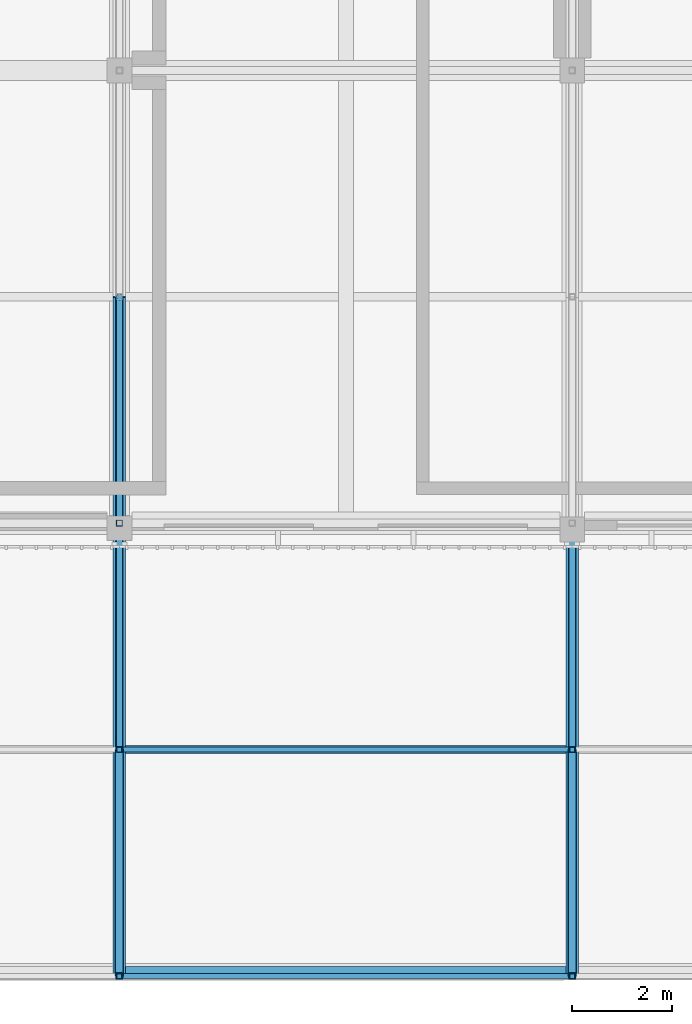
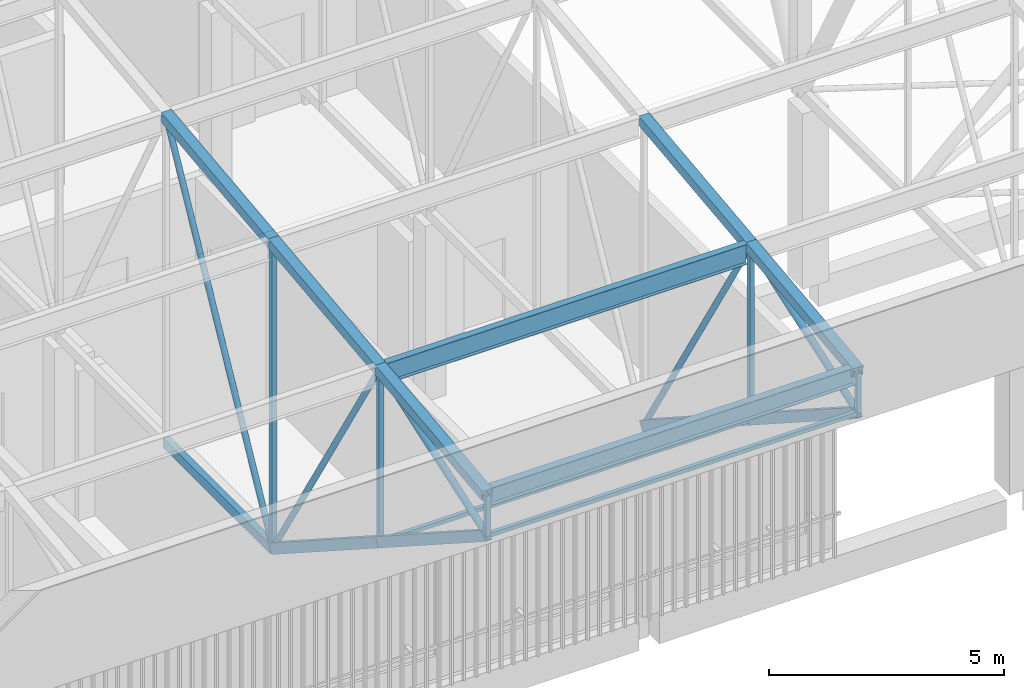
# One storey, part 28 of 500: 24 members.
"""IFC4 building model written with IfcOpenShell, lengths in metres."""

import ifcopenshell
import ifcopenshell.guid

model = None  # the IFC model being written
_history = None  # IfcOwnerHistory: only IFC2X3 demands one
_inside = {}  # id of a spatial element -> (the spatial element, [elements in it])
_under = {}  # id of a project, library or spatial element -> (it, [spatial elements below it])
_declared = {}  # id of a project -> (the project, [libraries it declares])
_typed = {}  # id of a type object -> (the type object, [elements of that type])
_made_of = {}  # id of a material, layer set ... -> (it, [elements and type objects made of it])


def new_model(schema):
    """Start an empty IFC model of exactly this schema.

    Asked for "IFC4X3", IfcOpenShell would pick the latest addendum, in which some entities
    have other attributes; the version numbers below select the first issue.
    IFC2X3 requires an IfcOwnerHistory on every rooted entity: one is made here for all.
    """
    global model, _history
    if schema == "IFC4X3":
        model = ifcopenshell.file(schema_version=(4, 3, 0, 0))
    else:
        model = ifcopenshell.file(schema=schema)
    _inside.clear()
    _under.clear()
    _declared.clear()
    _typed.clear()
    _made_of.clear()
    _history = None
    if model.schema == "IFC2X3":
        org = make("IfcOrganization", Name="unknown")
        user = make(
            "IfcPersonAndOrganization",
            ThePerson=make("IfcPerson", FamilyName="unknown"),
            TheOrganization=org,
        )
        app = make(
            "IfcApplication",
            ApplicationDeveloper=org,
            Version="unknown",
            ApplicationFullName="unknown",
            ApplicationIdentifier="unknown",
        )
        _history = make(
            "IfcOwnerHistory",
            OwningUser=user,
            OwningApplication=app,
            ChangeAction="ADDED",
            CreationDate=0,
        )
    return model


def make(cls, **values):
    """One entity of the class cls with the attributes given. An attribute that is None is left unset."""
    return model.create_entity(
        cls, **{name: value for name, value in values.items() if value is not None}
    )


def rooted(cls, **values):
    """An entity with a GlobalId (a new one), such as an element, a storey or a relation."""
    return make(cls, GlobalId=ifcopenshell.guid.new(), OwnerHistory=_history, **values)


def si_unit(unit_type, name, prefix=None):
    """IfcSIUnit, for example si_unit("LENGTHUNIT", "METRE", prefix="MILLI")."""
    return make("IfcSIUnit", UnitType=unit_type, Prefix=prefix, Name=name)


def assignment(units):
    """IfcUnitAssignment: the units of a project."""
    return None if units is None else make("IfcUnitAssignment", Units=units)


def point(xyz):
    """IfcCartesianPoint."""
    return None if xyz is None else make("IfcCartesianPoint", Coordinates=xyz)


def direction(xyz):
    """IfcDirection."""
    return None if xyz is None else make("IfcDirection", DirectionRatios=xyz)


def frame(location, z_axis=None, x_axis=None):
    """IfcAxis2Placement3D, a coordinate frame: its origin and axes. An axis left out is left unset."""
    return make(
        "IfcAxis2Placement3D",
        Location=point(location),
        Axis=direction(z_axis),
        RefDirection=direction(x_axis),
    )


def frame_2d(location, x_axis=None):
    """IfcAxis2Placement2D, a coordinate frame in the plane: its origin and x axis."""
    return make(
        "IfcAxis2Placement2D", Location=point(location), RefDirection=direction(x_axis)
    )


def origin():
    """The frame at (0, 0, 0) with its axes left unset."""
    return frame((0.0, 0.0, 0.0))


def origin_2d():
    """The frame at (0, 0) in the plane with its x axis left unset."""
    return frame_2d((0.0, 0.0))


def place(relative_to, where):
    """IfcLocalPlacement: puts the frame where relative to a parent placement (None: the world)."""
    return make(
        "IfcLocalPlacement", PlacementRelTo=relative_to, RelativePlacement=where
    )


def context(
    kind, dimensions, precision=None, world=None, true_north=None, identifier=None
):
    """IfcGeometricRepresentationContext, for example the 3D "Model" context."""
    return make(
        "IfcGeometricRepresentationContext",
        ContextIdentifier=identifier,
        ContextType=kind,
        CoordinateSpaceDimension=dimensions,
        Precision=precision,
        WorldCoordinateSystem=world,
        TrueNorth=true_north,
    )


def subcontext(parent, identifier, kind, view, scale=None):
    """IfcGeometricRepresentationSubContext, for example "Body" below "Model"."""
    return make(
        "IfcGeometricRepresentationSubContext",
        ContextIdentifier=identifier,
        ContextType=kind,
        ParentContext=parent,
        TargetScale=scale,
        TargetView=view,
    )


def project(units=None, contexts=None):
    """IfcProject with its units and contexts."""
    return rooted(
        "IfcProject",
        Name="project",
        RepresentationContexts=contexts,
        UnitsInContext=assignment(units),
    )


def spatial(cls, under=None, at=None, **own):
    """A site, building, storey or space (cls), placed at a placement, below another one or the project."""
    s = rooted(cls, ObjectPlacement=at, **own)
    if under is not None:
        _under.setdefault(under.id(), (under, []))[1].append(s)
    return s


def profile(cls, at=None, kind="AREA", **sizes):
    """A parametric profile (cls). Its sizes go by their IFC names, for example OverallWidth=200.0."""
    return make(cls, ProfileType=kind, Position=at, **sizes)


def hollow_rectangle(**sizes):
    """IfcRectangleHollowProfileDef."""
    return profile("IfcRectangleHollowProfileDef", **sizes)


def hollow_circle(**sizes):
    """IfcCircleHollowProfileDef."""
    return profile("IfcCircleHollowProfileDef", **sizes)


def i_section(**sizes):
    """IfcIShapeProfileDef."""
    return profile("IfcIShapeProfileDef", **sizes)


def extrude(swept, where, along, depth):
    """IfcExtrudedAreaSolid: the profile swept, set in the frame where, extruded along a direction by depth."""
    return make(
        "IfcExtrudedAreaSolid",
        SweptArea=swept,
        Position=where,
        ExtrudedDirection=direction(along),
        Depth=depth,
    )


def shape(context_of_items, identifier, shape_type, items):
    """IfcShapeRepresentation: the items that make up one representation, for example the "Body"."""
    return make(
        "IfcShapeRepresentation",
        ContextOfItems=context_of_items,
        RepresentationIdentifier=identifier,
        RepresentationType=shape_type,
        Items=items,
    )


def material(Name=None, Category=None):
    """IfcMaterial."""
    return make("IfcMaterial", Name=Name, Category=Category)


def material_profile(
    of_material, cross_section, Name=None, Category=None, Priority=None
):
    """IfcMaterialProfile: a cross section and its material."""
    return make(
        "IfcMaterialProfile",
        Name=Name,
        Material=of_material,
        Profile=cross_section,
        Priority=Priority,
        Category=Category,
    )


def profile_set(profiles, Name=None, composite=None):
    """IfcMaterialProfileSet."""
    return make(
        "IfcMaterialProfileSet",
        Name=Name,
        MaterialProfiles=profiles,
        CompositeProfile=composite,
    )


def made_of(thing, what):
    """Note that an element or type object is made of a material, layer set ...; save() writes the relation."""
    if what is not None:
        _made_of.setdefault(what.id(), (what, []))[1].append(thing)
    return thing


def type_object(cls, material=None, **own):
    """A type object (cls), such as IfcWallType, which elements share."""
    return made_of(rooted(cls, **own), material)


def element(
    cls,
    number,
    at=None,
    inside=None,
    cuts=None,
    type_object=None,
    material=None,
    context=None,
    identifier="Body",
    shape_type=None,
    held_by="IfcProductDefinitionShape",
    body=None,
    shapes=None,
    **own,
):
    """One element of the class cls, such as IfcWall. Its Tag is "e" and its number.

    at: its placement. inside: the storey or other place that contains it. cuts: it is an
    opening in that element (IfcRelVoidsElement). A single representation is given by context,
    identifier, shape_type and body (its items); several are given by shapes. held_by: the class
    of the entity that holds the representations. save() writes the other relations.
    """
    e = rooted(cls, Tag="e%d" % number, ObjectPlacement=at, **own)
    if body is not None:
        shapes = [shape(context, identifier, shape_type, body)]
    if shapes is not None:
        e.Representation = make(held_by, Representations=shapes)
    if inside is not None:
        _inside.setdefault(inside.id(), (inside, []))[1].append(e)
    if cuts is not None:
        rooted(
            "IfcRelVoidsElement", RelatingBuildingElement=cuts, RelatedOpeningElement=e
        )
    if type_object is not None:
        _typed.setdefault(type_object.id(), (type_object, []))[1].append(e)
    return made_of(e, material)


def aggregate(whole, parts):
    """IfcRelAggregates: a whole, such as a stair, and the parts it consists of."""
    return rooted("IfcRelAggregates", RelatingObject=whole, RelatedObjects=parts)


def save(model, path):
    """Write the relations noted so far, then the file.

    IfcRelAggregates (storeys below a building ...), IfcRelContainedInSpatialStructure (elements
    in a storey), IfcRelDefinesByType, IfcRelAssociatesMaterial and IfcRelDeclares: one each for
    every whole, place, type object, material and project.
    """
    for whole, parts in _under.values():
        aggregate(whole, parts)
    for where, things in _inside.values():
        rooted(
            "IfcRelContainedInSpatialStructure",
            RelatedElements=things,
            RelatingStructure=where,
        )
    for kind, things in _typed.values():
        rooted("IfcRelDefinesByType", RelatedObjects=things, RelatingType=kind)
    for what, things in _made_of.values():
        rooted("IfcRelAssociatesMaterial", RelatedObjects=things, RelatingMaterial=what)
    for by, libraries in _declared.values():
        rooted("IfcRelDeclares", RelatingContext=by, RelatedDefinitions=libraries)
    model.write(path)


model = new_model("IFC4")

# Units and contexts
model_context = context("Model", 3, precision=1e-05, world=origin(), true_north=direction((0.0, 1.0)))
body_context = subcontext(model_context, "Body", "Model", "MODEL_VIEW")
ifc_project = project(units=[si_unit("LENGTHUNIT", "METRE"), si_unit("AREAUNIT", "SQUARE_METRE"), si_unit("VOLUMEUNIT", "CUBIC_METRE"), si_unit("PLANEANGLEUNIT", "RADIAN"), si_unit("MASSUNIT", "GRAM", prefix="KILO")], contexts=[model_context])

# Site, building, storey
site_placement = place(None, origin())
site = spatial("IfcSite", under=ifc_project, at=site_placement, CompositionType="ELEMENT")
building_placement = place(site_placement, origin())
building = spatial("IfcBuilding", under=site, at=building_placement, Name="Shirokan Park Arena", CompositionType="ELEMENT")
storey_placement = place(building_placement, frame((0.0, 0.0, 29.1201171875)))
storey = spatial("IfcBuildingStorey", under=building, at=storey_placement, Name="L06", CompositionType="ELEMENT", Elevation=29.1201171875)

# Members
ifc_material_1 = material(Name="Steel ASTM A500 Grade C", Category="steel")
ifc_material_profile_1 = material_profile(ifc_material_1, hollow_rectangle(XDim=0.152099609375, YDim=0.25390625, WallThickness=0.009521484375, at=origin_2d()), Name="HSS254X152.4X9.5")
ifc_profile_set_1 = profile_set([ifc_material_profile_1], Name="Steel ASTM A500 Grade C")
member_type_1 = type_object("IfcMemberType", Name="Bottom chord HSS254X152.4X9.5", PredefinedType="CHORD", material=ifc_profile_set_1)
for number, where, z_axis, x_axis, name in (
    (1, (27.300048828125, -9.10009765625, 10.531982421875), (0.0, 0.840971691661, -0.541079119746), (-1.0, 0.0, 0.0), "Truss T04 bottom chord 1"),
    (2, (27.300048828125, -4.550048828125, 7.6044921875), (0.0, 0.840971691661, -0.541079119746), (-1.0, 0.0, 0.0), "Truss T04 bottom chord 2"),
):
    element("IfcMember", number, at=place(storey_placement, frame(where, z_axis=z_axis, x_axis=x_axis)), inside=storey, type_object=member_type_1, Name=name, PredefinedType="CHORD", context=body_context, shape_type="SweptSolid", body=[
        extrude(hollow_rectangle(XDim=0.152099609375, YDim=0.25390625, WallThickness=0.009521484375, at=origin_2d()), origin(), (0.0, 0.0, 1.0), 5.410400390625),
    ])
member_1_placement = place(storey_placement, frame((27.300048828125, 0.0, 4.677001953125), z_axis=(0.0, 1.0, 0.0), x_axis=(-1.0, 0.0, 0.0)))
element("IfcMember", 3, at=member_1_placement, inside=storey, type_object=member_type_1, Name="Truss T04 bottom chord 3", PredefinedType="CHORD", context=body_context, shape_type="SweptSolid", body=[
    extrude(hollow_rectangle(XDim=0.152099609375, YDim=0.25390625, WallThickness=0.009521484375, at=origin_2d()), origin(), (0.0, 0.0, 1.0), 4.550048828125),
])
for number, where, z_axis, x_axis, name in (
    (4, (36.39990234375, -9.10009765625, 10.531982421875), (0.0, 0.840971691661, -0.541079119746), (-1.0, 0.0, 0.0), "Truss T05 bottom chord 1"),
    (5, (36.39990234375, -4.550048828125, 7.6044921875), (0.0, 0.840971691661, -0.541079119746), (-1.0, 0.0, 0.0), "Truss T05 bottom chord 2"),
):
    element("IfcMember", number, at=place(storey_placement, frame(where, z_axis=z_axis, x_axis=x_axis)), inside=storey, type_object=member_type_1, Name=name, PredefinedType="CHORD", context=body_context, shape_type="SweptSolid", body=[
        extrude(hollow_rectangle(XDim=0.152099609375, YDim=0.25390625, WallThickness=0.009521484375, at=origin_2d()), origin(), (0.0, 0.0, 1.0), 5.410400390625),
    ])
ifc_material_profile_2 = material_profile(ifc_material_1, hollow_rectangle(XDim=0.10205078125, YDim=0.10205078125, WallThickness=0.00634765625, at=origin_2d()), Name="HSS101.6X101.6X6.4")
ifc_profile_set_2 = profile_set([ifc_material_profile_2], Name="Steel ASTM A500 Grade C")
member_type_2 = type_object("IfcMemberType", Name="Eave soffit rail HSS101.6X101.6X6.4", PredefinedType="USERDEFINED", material=ifc_profile_set_2)
for number, where, z_axis, x_axis, name in (
    (6, (27.35693359375, -9.10009765625, 10.531982421875), (1.0, 0.0, 0.0), (0.0, 1.0, 0.0), "Eave soffit rail S 1 bay 4"),
    (7, (27.35693359375, -4.550048828125, 7.6044921875), (1.0, 0.0, 0.0), (0.0, 1.0, 0.0), "Eave soffit rail S 2 bay 4"),
):
    element("IfcMember", number, at=place(storey_placement, frame(where, z_axis=z_axis, x_axis=x_axis)), inside=storey, type_object=member_type_2, Name=name, ObjectType="EAVE SOFFIT RAIL", PredefinedType="USERDEFINED", context=body_context, shape_type="SweptSolid", body=[
        extrude(hollow_rectangle(XDim=0.10205078125, YDim=0.10205078125, WallThickness=0.00634765625, at=origin_2d()), origin(), (0.0, 0.0, 1.0), 8.986083984375),
    ])
ifc_material_2 = material(Name="Steel ASTM A992", Category="steel")
ifc_material_profile_3 = material_profile(ifc_material_2, i_section(OverallWidth=0.166015625, OverallDepth=0.528076171875, WebThickness=0.009765625, FlangeThickness=0.013671875, at=origin_2d()), Name="W530X74")
ifc_profile_set_3 = profile_set([ifc_material_profile_3], Name="Steel ASTM A992")
member_type_3 = type_object("IfcMemberType", Name="Purlin W530X74", PredefinedType="PURLIN", material=ifc_profile_set_3)
member_2_placement = place(storey_placement, frame((27.427001953125, -4.550048828125, 11.9658203125), z_axis=(1.0, 0.0, 0.0), x_axis=(0.0, 1.0, 0.0)))
element("IfcMember", 8, at=member_2_placement, inside=storey, type_object=member_type_3, Name="Purlin 2 bay 4", PredefinedType="PURLIN", context=body_context, shape_type="SweptSolid", body=[
    extrude(i_section(OverallWidth=0.166015625, OverallDepth=0.528076171875, WebThickness=0.009765625, FlangeThickness=0.013671875, at=origin_2d()), origin(), (0.0, 0.0, 1.0), 8.845947265625),
])
ifc_material_profile_4 = material_profile(ifc_material_2, i_section(OverallWidth=0.19091796875, OverallDepth=0.45703125, WebThickness=0.009033203125, FlangeThickness=0.014404296875, at=origin_2d()), Name="W460X74")
ifc_profile_set_4 = profile_set([ifc_material_profile_4], Name="Steel ASTM A992")
member_type_4 = type_object("IfcMemberType", Name="Roof edge beam W460X74", PredefinedType="USERDEFINED", material=ifc_profile_set_4)
member_3_placement = place(storey_placement, frame((27.35693359375, -9.00439453125, 11.4814453125), z_axis=(1.0, 0.0, 0.0), x_axis=(0.0, 1.0, 0.0)))
element("IfcMember", 9, at=member_3_placement, inside=storey, type_object=member_type_4, Name="Roof edge beam S 5", ObjectType="ROOF EDGE BEAM", PredefinedType="USERDEFINED", context=body_context, shape_type="SweptSolid", body=[
    extrude(i_section(OverallWidth=0.19091796875, OverallDepth=0.45703125, WebThickness=0.009033203125, FlangeThickness=0.014404296875, at=origin_2d()), origin(), (0.0, 0.0, 1.0), 8.986083984375),
])
ifc_material_profile_5 = material_profile(ifc_material_1, hollow_rectangle(XDim=0.25390625, YDim=0.25390625, WallThickness=0.009521484375, at=origin_2d()), Name="HSS254X254X9.5")
ifc_profile_set_5 = profile_set([ifc_material_profile_5], Name="Steel ASTM A500 Grade C")
member_type_5 = type_object("IfcMemberType", Name="Top chord HSS254X254X9.5", PredefinedType="CHORD", material=ifc_profile_set_5)
for number, where, z_axis, x_axis, name in (
    (10, (27.300048828125, -9.10009765625, 11.582763671875), (0.0, 0.993532328996, 0.113549598152), (-1.0, 0.0, 0.0), "Truss T04 top chord 1"),
    (11, (27.300048828125, -4.550048828125, 12.102783203125), (0.0, 0.993532328996, 0.113549598152), (-1.0, 0.0, 0.0), "Truss T04 top chord 2"),
    (12, (27.300048828125, 0.0, 12.622802734375), (0.0, 0.993532328996, 0.113549598152), (-1.0, 0.0, 0.0), "Truss T04 top chord 3"),
    (13, (36.39990234375, -9.10009765625, 11.582763671875), (0.0, 0.993532328996, 0.113549598152), (-1.0, 0.0, 0.0), "Truss T05 top chord 1"),
    (14, (36.39990234375, -4.550048828125, 12.102783203125), (0.0, 0.993532328996, 0.113549598152), (-1.0, 0.0, 0.0), "Truss T05 top chord 2"),
):
    element("IfcMember", number, at=place(storey_placement, frame(where, z_axis=z_axis, x_axis=x_axis)), inside=storey, type_object=member_type_5, Name=name, PredefinedType="CHORD", context=body_context, shape_type="SweptSolid", body=[
        extrude(hollow_rectangle(XDim=0.25390625, YDim=0.25390625, WallThickness=0.009521484375, at=origin_2d()), origin(), (0.0, 0.0, 1.0), 4.57958984375),
    ])
ifc_material_profile_6 = material_profile(ifc_material_1, hollow_circle(Radius=0.070556640625, WallThickness=0.006591796875, at=origin_2d()), Name="HSS141.3X6.6")
ifc_profile_set_6 = profile_set([ifc_material_profile_6], Name="Steel ASTM A500 Grade C")
member_type_6 = type_object("IfcMemberType", Name="Truss diagonal HSS141.3X6.6", PredefinedType="BRACE", material=ifc_profile_set_6)
member_4_placement = place(storey_placement, frame((27.300048828125, -4.550048828125, 12.102783203125), z_axis=(0.0, 0.522458847856, -0.852664501605), x_axis=(-1.0, 0.0, 0.0)))
element("IfcMember", 15, at=member_4_placement, inside=storey, type_object=member_type_6, Name="Truss T04 diagonal 2", PredefinedType="BRACE", context=body_context, shape_type="SweptSolid", body=[
    extrude(hollow_circle(Radius=0.070556640625, WallThickness=0.006591796875, at=origin_2d()), origin(), (0.0, 0.0, 1.0), 8.708984375),
])
member_5_placement = place(storey_placement, frame((27.300048828125, 0.0, 4.677001953125), z_axis=(0.0, 0.473416507165, 0.880838697347), x_axis=(-1.0, 0.0, 0.0)))
element("IfcMember", 16, at=member_5_placement, inside=storey, type_object=member_type_6, Name="Truss T04 diagonal 3", PredefinedType="BRACE", context=body_context, shape_type="SweptSolid", body=[
    extrude(hollow_circle(Radius=0.070556640625, WallThickness=0.006591796875, at=origin_2d()), origin(), (0.0, 0.0, 1.0), 9.611083984375),
])
member_6_placement = place(storey_placement, frame((36.39990234375, -4.550048828125, 12.102783203125), z_axis=(0.0, 0.522458847856, -0.852664501605), x_axis=(-1.0, 0.0, 0.0)))
element("IfcMember", 17, at=member_6_placement, inside=storey, type_object=member_type_6, Name="Truss T05 diagonal 2", PredefinedType="BRACE", context=body_context, shape_type="SweptSolid", body=[
    extrude(hollow_circle(Radius=0.070556640625, WallThickness=0.006591796875, at=origin_2d()), origin(), (0.0, 0.0, 1.0), 8.708984375),
])
ifc_material_profile_7 = material_profile(ifc_material_1, hollow_circle(Radius=0.083984375, WallThickness=0.009521484375, at=origin_2d()), Name="HSS168.3X9.5")
ifc_profile_set_7 = profile_set([ifc_material_profile_7], Name="Steel ASTM A500 Grade C")
member_type_7 = type_object("IfcMemberType", Name="Truss diagonal HSS168.3X9.5", PredefinedType="BRACE", material=ifc_profile_set_7)
for number, where, z_axis, x_axis, name in (
    (18, (27.300048828125, -9.10009765625, 10.531982421875), (0.0, 0.945256498603, 0.326328288459), (-1.0, 0.0, 0.0), "Truss T04 diagonal 1"),
    (19, (36.39990234375, -9.10009765625, 10.531982421875), (0.0, 0.945256498603, 0.326328288459), (-1.0, 0.0, 0.0), "Truss T05 diagonal 1"),
):
    element("IfcMember", number, at=place(storey_placement, frame(where, z_axis=z_axis, x_axis=x_axis)), inside=storey, type_object=member_type_7, Name=name, PredefinedType="BRACE", context=body_context, shape_type="SweptSolid", body=[
        extrude(hollow_circle(Radius=0.083984375, WallThickness=0.009521484375, at=origin_2d()), origin(), (0.0, 0.0, 1.0), 4.8134765625),
    ])
ifc_material_profile_8 = material_profile(ifc_material_1, hollow_rectangle(XDim=0.114013671875, YDim=0.114013671875, WallThickness=0.00634765625, at=origin_2d()), Name="HSS114.3X114.3X6.4")
ifc_profile_set_8 = profile_set([ifc_material_profile_8], Name="Steel ASTM A500 Grade C")
member_type_8 = type_object("IfcMemberType", Name="Truss post HSS114.3X114.3X6.4", PredefinedType="POST", material=ifc_profile_set_8)
member_7_placement = place(storey_placement, frame((27.300048828125, -9.10009765625, 10.531982421875), z_axis=(0.0, 0.0, 1.0), x_axis=(1.0, 0.0, 0.0)))
element("IfcMember", 20, at=member_7_placement, inside=storey, type_object=member_type_8, Name="Truss T04 post 1", PredefinedType="POST", context=body_context, shape_type="SweptSolid", body=[
    extrude(hollow_rectangle(XDim=0.114013671875, YDim=0.114013671875, WallThickness=0.00634765625, at=origin_2d()), origin(), (0.0, 0.0, 1.0), 1.05078125),
])
member_8_placement = place(storey_placement, frame((27.300048828125, -4.550048828125, 7.6044921875), z_axis=(0.0, 0.0, 1.0), x_axis=(1.0, 0.0, 0.0)))
element("IfcMember", 21, at=member_8_placement, inside=storey, type_object=member_type_8, Name="Truss T04 post 2", PredefinedType="POST", context=body_context, shape_type="SweptSolid", body=[
    extrude(hollow_rectangle(XDim=0.114013671875, YDim=0.114013671875, WallThickness=0.00634765625, at=origin_2d()), origin(), (0.0, 0.0, 1.0), 4.498291015625),
])
member_9_placement = place(storey_placement, frame((36.39990234375, -9.10009765625, 10.531982421875), z_axis=(0.0, 0.0, 1.0), x_axis=(1.0, 0.0, 0.0)))
element("IfcMember", 22, at=member_9_placement, inside=storey, type_object=member_type_8, Name="Truss T05 post 1", PredefinedType="POST", context=body_context, shape_type="SweptSolid", body=[
    extrude(hollow_rectangle(XDim=0.114013671875, YDim=0.114013671875, WallThickness=0.00634765625, at=origin_2d()), origin(), (0.0, 0.0, 1.0), 1.05078125),
])
member_10_placement = place(storey_placement, frame((36.39990234375, -4.550048828125, 7.6044921875), z_axis=(0.0, 0.0, 1.0), x_axis=(1.0, 0.0, 0.0)))
element("IfcMember", 23, at=member_10_placement, inside=storey, type_object=member_type_8, Name="Truss T05 post 2", PredefinedType="POST", context=body_context, shape_type="SweptSolid", body=[
    extrude(hollow_rectangle(XDim=0.114013671875, YDim=0.114013671875, WallThickness=0.00634765625, at=origin_2d()), origin(), (0.0, 0.0, 1.0), 4.498291015625),
])
ifc_material_profile_9 = material_profile(ifc_material_1, hollow_rectangle(XDim=0.126953125, YDim=0.126953125, WallThickness=0.0126953125, at=origin_2d()), Name="HSS127X127X12.7")
ifc_profile_set_9 = profile_set([ifc_material_profile_9], Name="Steel ASTM A500 Grade C")
member_type_9 = type_object("IfcMemberType", Name="Truss post HSS127X127X12.7", PredefinedType="POST", material=ifc_profile_set_9)
member_11_placement = place(storey_placement, frame((27.300048828125, 0.0, 4.677001953125), z_axis=(0.0, 0.0, 1.0), x_axis=(1.0, 0.0, 0.0)))
element("IfcMember", 24, at=member_11_placement, inside=storey, type_object=member_type_9, Name="Truss T04 post 3", PredefinedType="POST", context=body_context, shape_type="SweptSolid", body=[
    extrude(hollow_rectangle(XDim=0.126953125, YDim=0.126953125, WallThickness=0.0126953125, at=origin_2d()), origin(), (0.0, 0.0, 1.0), 7.94580078125),
])

save(model, "model.ifc")
